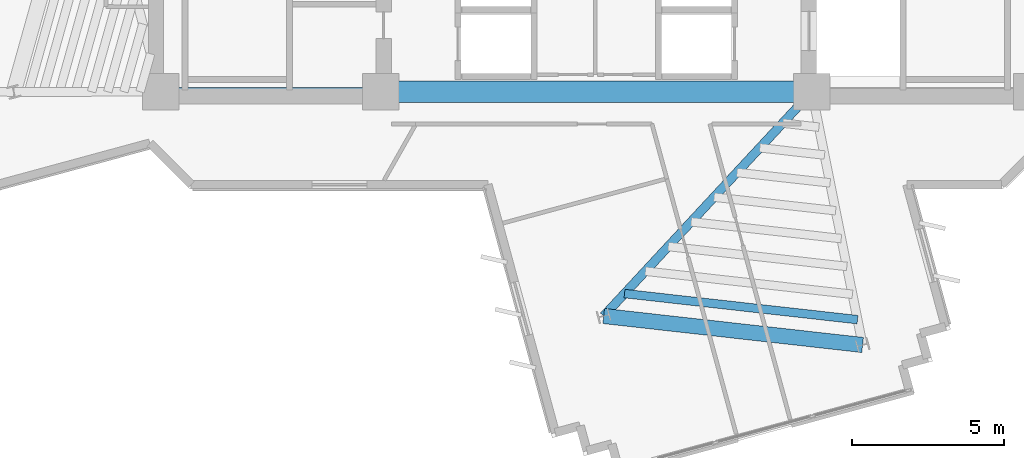
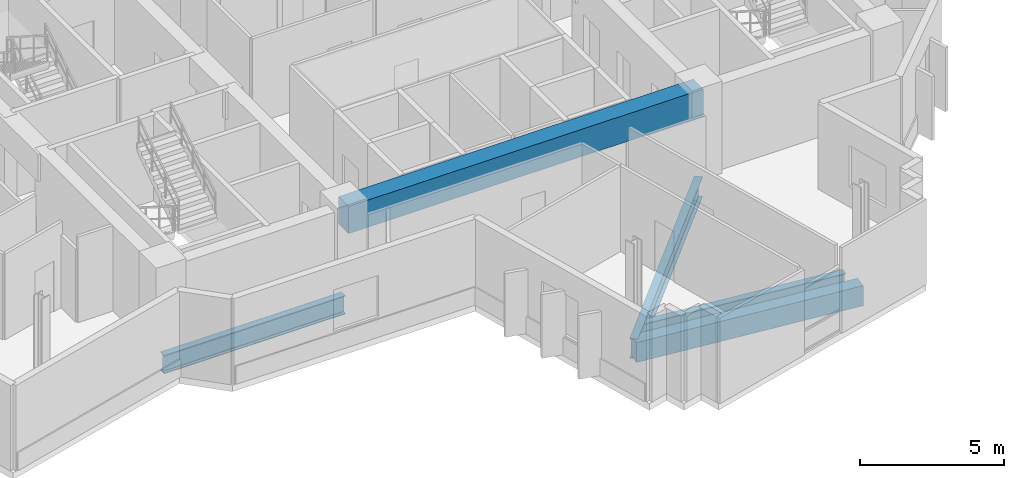
# One storey, part 3 of 15: 5 beams.
"""IFC4 building model written with IfcOpenShell, lengths in metres."""

from ifc_helpers import new_model, si_unit, direction, frame, origin, origin_2d, place, context, subcontext, project, spatial, rectangle, i_section, extrude, source, transform, mapped, material, material_profile, profile_set, type_object, element, save


model = new_model("IFC4")

# Units and contexts
model_context = context("Model", 3, precision=1e-05, world=origin(), true_north=direction((0.0, 1.0)))
body_context = subcontext(model_context, "Body", "Model", "MODEL_VIEW")
ifc_project = project(units=[si_unit("LENGTHUNIT", "METRE"), si_unit("AREAUNIT", "SQUARE_METRE"), si_unit("VOLUMEUNIT", "CUBIC_METRE"), si_unit("PLANEANGLEUNIT", "RADIAN"), si_unit("MASSUNIT", "GRAM", prefix="KILO")], contexts=[model_context])

# Site, building, storey
site_placement = place(None, origin())
site = spatial("IfcSite", under=ifc_project, at=site_placement, CompositionType="ELEMENT")
building_placement = place(site_placement, origin())
building = spatial("IfcBuilding", under=site, at=building_placement, Name="Zahravan Cultural Tower", CompositionType="ELEMENT")
storey_placement = place(building_placement, frame((0.0, 0.0, 198.0)))
storey = spatial("IfcBuildingStorey", under=building, at=storey_placement, Name="L46", CompositionType="ELEMENT", Elevation=198.0)

# Beams
ifc_material_1 = material(Name="Concrete C50/60", Category="concrete")
ifc_material_profile_1 = material_profile(ifc_material_1, rectangle(XDim=0.699951171875, YDim=1.14990234375, at=origin_2d()), Name="RC700X1150")
ifc_profile_set_1 = profile_set([ifc_material_profile_1], Name="Concrete C50/60")
beam_type_1 = type_object("IfcBeamType", Name="BM-LN-RC700X1150", PredefinedType="LINTEL", material=ifc_profile_set_1)
shared_shape_1 = source(origin(), body_context, "Body", "SweptSolid", [
    extrude(rectangle(XDim=0.699951171875, YDim=1.14990234375, at=origin_2d()), origin(), (0.0, 0.0, 1.0), 14.2001953125),
])
beam_1_placement = place(storey_placement, frame((28.89990234375, 17.800048828125, 3.044921875), z_axis=(1.0, 0.0, 0.0), x_axis=(0.0, 1.0, 0.0)))
element("IfcBeam", 1, at=beam_1_placement, inside=storey, type_object=beam_type_1, Name="L46 Beam LN-L46-S", PredefinedType="LINTEL", context=body_context, shape_type="MappedRepresentation", body=[
    mapped(shared_shape_1, transform((0.0, 0.0, 0.0), x_axis=(1.0, 0.0, 0.0), y_axis=(0.0, 1.0, 0.0), z_axis=(0.0, 0.0, 1.0), scale=1.0)),
])
ifc_material_2 = material(Name="Steel ASTM A992 Grade 50", Category="steel")
ifc_material_profile_2 = material_profile(ifc_material_2, i_section(OverallWidth=0.26611328125, OverallDepth=0.780029296875, WebThickness=0.0166015625, FlangeThickness=0.030029296875, FilletRadius=0.01904296875, at=origin_2d()), Name="W30X148")
ifc_profile_set_2 = profile_set([ifc_material_profile_2], Name="Steel ASTM A992 Grade 50")
beam_type_2 = type_object("IfcBeamType", Name="BM-G-W30X148", PredefinedType="BEAM", material=ifc_profile_set_2)
shared_shape_2 = source(origin(), body_context, "Body", "SweptSolid", [
    extrude(i_section(OverallWidth=0.26611328125, OverallDepth=0.780029296875, WebThickness=0.0166015625, FlangeThickness=0.030029296875, FilletRadius=0.01904296875, at=origin_2d()), origin(), (0.0, 0.0, 1.0), 7.25),
])
beam_2_placement = place(storey_placement, frame((21.64990234375, 17.800048828125, -0.669921875), z_axis=(1.0, 0.0, 0.0), x_axis=(0.0, 1.0, 0.0)))
element("IfcBeam", 2, at=beam_2_placement, inside=storey, type_object=beam_type_2, Name="L46 Beam BG-L46-01", PredefinedType="BEAM", context=body_context, shape_type="MappedRepresentation", body=[
    mapped(shared_shape_2, transform((0.0, 0.0, 0.0), x_axis=(1.0, 0.0, 0.0), y_axis=(0.0, 1.0, 0.0), z_axis=(0.0, 0.0, 1.0), scale=1.0)),
])
ifc_material_profile_3 = material_profile(ifc_material_1, rectangle(XDim=0.5, YDim=0.85009765625, at=origin_2d()), Name="RC500X850")
ifc_profile_set_3 = profile_set([ifc_material_profile_3], Name="Concrete C50/60")
beam_type_3 = type_object("IfcBeamType", Name="BM-SP-RC500X850", PredefinedType="SPANDREL", material=ifc_profile_set_3)
shared_shape_3 = source(origin(), body_context, "Body", "SweptSolid", [
    extrude(rectangle(XDim=0.5, YDim=0.85009765625, at=origin_2d()), origin(), (0.0, 0.0, 1.0), 8.579833984375),
])
beam_3_placement = place(storey_placement, frame((36.245361328125, 10.412353515625, -0.705078125), z_axis=(0.9938040105, -0.11114669907, 0.0), x_axis=(0.11114669907, 0.9938040105, 0.0)))
element("IfcBeam", 3, at=beam_3_placement, inside=storey, type_object=beam_type_3, Name="L46 Beam SP-L46-20", PredefinedType="SPANDREL", context=body_context, shape_type="MappedRepresentation", body=[
    mapped(shared_shape_3, transform((0.0, 0.0, 0.0), x_axis=(1.0, 0.0, 0.0), y_axis=(0.0, 1.0, 0.0), z_axis=(0.0, 0.0, 1.0), scale=1.0)),
])
ifc_material_profile_4 = material_profile(ifc_material_2, i_section(OverallWidth=0.29296875, OverallDepth=0.845947265625, WebThickness=0.015380859375, FlangeThickness=0.0244140625, FilletRadius=0.02001953125, at=origin_2d()), Name="W33X141")
ifc_profile_set_4 = profile_set([ifc_material_profile_4], Name="Steel ASTM A992 Grade 50")
beam_type_4 = type_object("IfcBeamType", Name="BM-G-W33X141", PredefinedType="BEAM", material=ifc_profile_set_4)
shared_shape_4 = source(origin(), body_context, "Body", "SweptSolid", [
    extrude(i_section(OverallWidth=0.29296875, OverallDepth=0.845947265625, WebThickness=0.015380859375, FlangeThickness=0.0244140625, FilletRadius=0.02001953125, at=origin_2d()), origin(), (0.0, 0.0, 1.0), 10.077880859375),
])
beam_4_placement = place(storey_placement, frame((43.10009765625, 17.800048828125, -0.702880859375), z_axis=(-0.680170435587, -0.733054007938, 0.0), x_axis=(0.733054007938, -0.680170435587, 0.0)))
element("IfcBeam", 4, at=beam_4_placement, inside=storey, type_object=beam_type_4, Name="L46 Beam BG-L46-09", PredefinedType="BEAM", context=body_context, shape_type="MappedRepresentation", body=[
    mapped(shared_shape_4, transform((0.0, 0.0, 0.0), x_axis=(1.0, 0.0, 0.0), y_axis=(0.0, 1.0, 0.0), z_axis=(0.0, 0.0, 1.0), scale=1.0)),
])
ifc_material_profile_5 = material_profile(ifc_material_2, i_section(OverallWidth=0.280029296875, OverallDepth=0.462890625, WebThickness=0.0107421875, FlangeThickness=0.017333984375, FilletRadius=0.012939453125, at=origin_2d()), Name="W18X76")
ifc_profile_set_5 = profile_set([ifc_material_profile_5], Name="Steel ASTM A992 Grade 50")
beam_type_5 = type_object("IfcBeamType", Name="BM-J-W18X76", PredefinedType="JOIST", material=ifc_profile_set_5)
shared_shape_5 = source(origin(), body_context, "Body", "SweptSolid", [
    extrude(i_section(OverallWidth=0.280029296875, OverallDepth=0.462890625, WebThickness=0.0107421875, FlangeThickness=0.017333984375, FilletRadius=0.012939453125, at=origin_2d()), origin(), (0.0, 0.0, 1.0), 7.7216796875),
])
beam_5_placement = place(storey_placement, frame((36.930908203125, 11.151123046875, -0.511474609375), z_axis=(0.993805212115, -0.11113595446, 0.0), x_axis=(0.11113595446, 0.993805212115, 0.0)))
element("IfcBeam", 5, at=beam_5_placement, inside=storey, type_object=beam_type_5, Name="L46 Beam BJ-L46-41", PredefinedType="JOIST", context=body_context, shape_type="MappedRepresentation", body=[
    mapped(shared_shape_5, transform((0.0, 0.0, 0.0), x_axis=(1.0, 0.0, 0.0), y_axis=(0.0, 1.0, 0.0), z_axis=(0.0, 0.0, 1.0), scale=1.0)),
])

save(model, "model.ifc")
